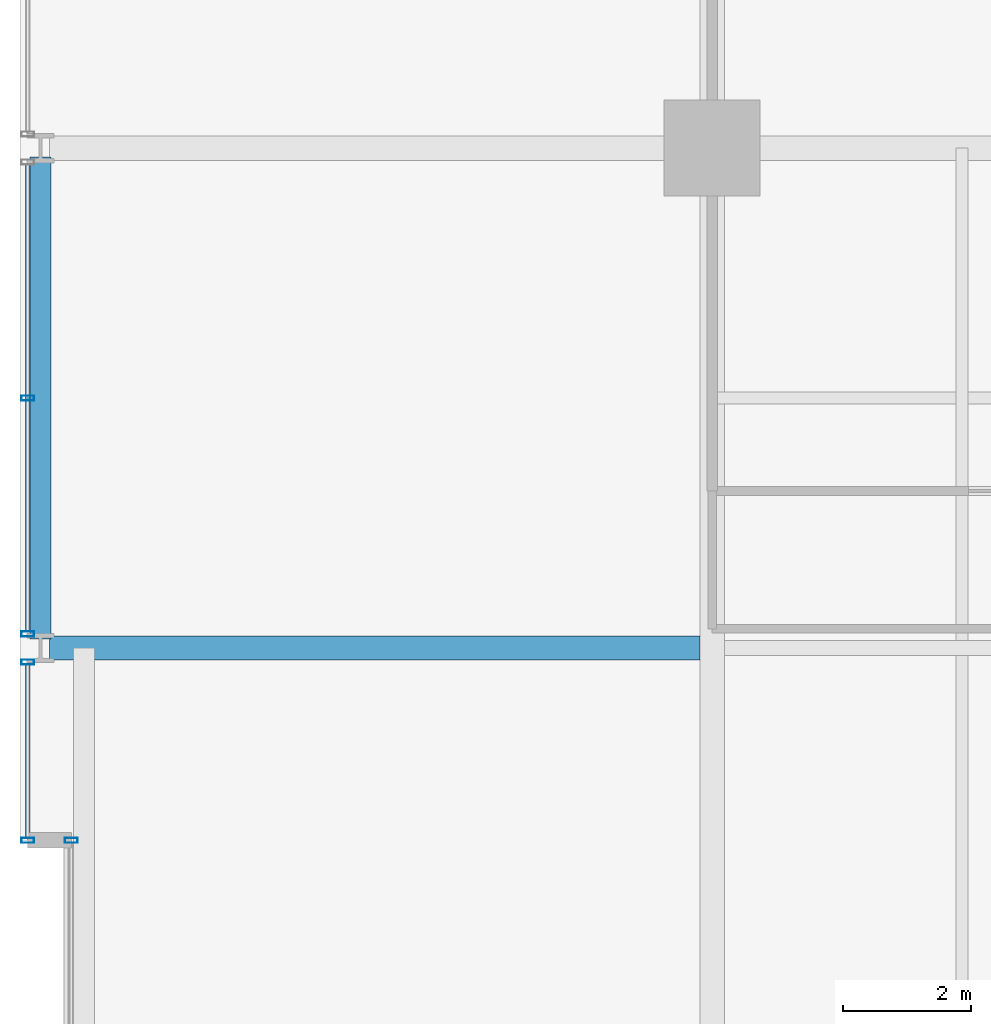
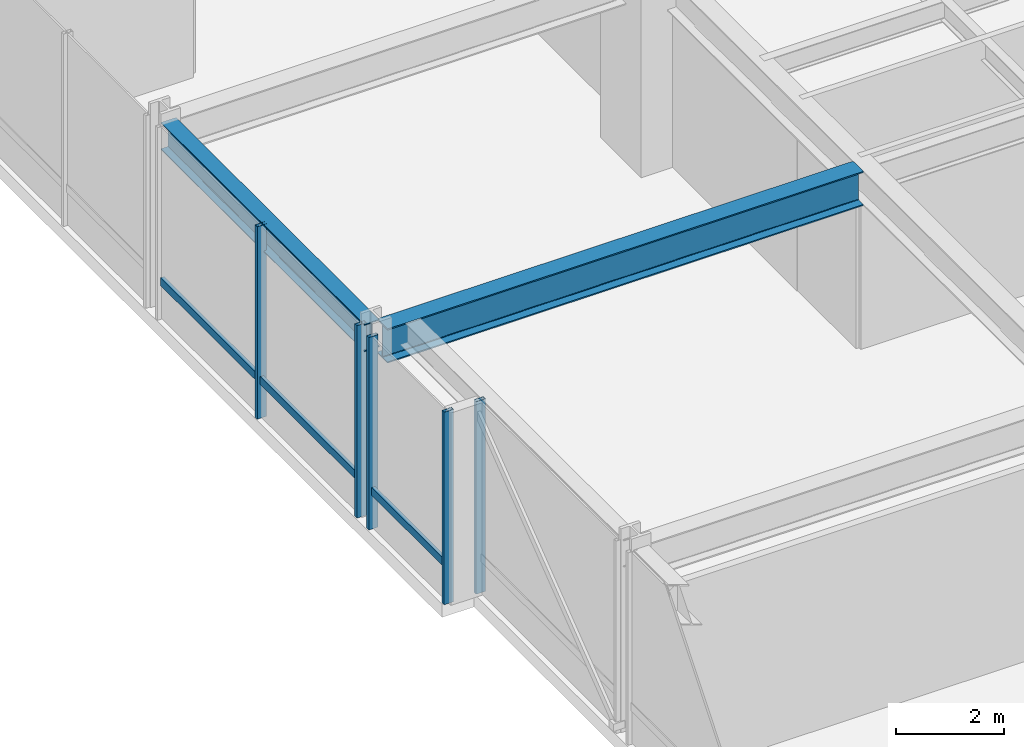
# One storey, part 16 of 33: 7 members, 2 beams, 3 elements without a shape of their own.
"""IFC4 building model written with IfcOpenShell, lengths in metres."""

import ifcopenshell
import ifcopenshell.guid

model = None  # the IFC model being written
_history = None  # IfcOwnerHistory: only IFC2X3 demands one
_inside = {}  # id of a spatial element -> (the spatial element, [elements in it])
_under = {}  # id of a project, library or spatial element -> (it, [spatial elements below it])
_declared = {}  # id of a project -> (the project, [libraries it declares])
_typed = {}  # id of a type object -> (the type object, [elements of that type])
_made_of = {}  # id of a material, layer set ... -> (it, [elements and type objects made of it])


def new_model(schema):
    """Start an empty IFC model of exactly this schema.

    Asked for "IFC4X3", IfcOpenShell would pick the latest addendum, in which some entities
    have other attributes; the version numbers below select the first issue.
    IFC2X3 requires an IfcOwnerHistory on every rooted entity: one is made here for all.
    """
    global model, _history
    if schema == "IFC4X3":
        model = ifcopenshell.file(schema_version=(4, 3, 0, 0))
    else:
        model = ifcopenshell.file(schema=schema)
    _inside.clear()
    _under.clear()
    _declared.clear()
    _typed.clear()
    _made_of.clear()
    _history = None
    if model.schema == "IFC2X3":
        org = make("IfcOrganization", Name="unknown")
        user = make(
            "IfcPersonAndOrganization",
            ThePerson=make("IfcPerson", FamilyName="unknown"),
            TheOrganization=org,
        )
        app = make(
            "IfcApplication",
            ApplicationDeveloper=org,
            Version="unknown",
            ApplicationFullName="unknown",
            ApplicationIdentifier="unknown",
        )
        _history = make(
            "IfcOwnerHistory",
            OwningUser=user,
            OwningApplication=app,
            ChangeAction="ADDED",
            CreationDate=0,
        )
    return model


def make(cls, **values):
    """One entity of the class cls with the attributes given. An attribute that is None is left unset."""
    return model.create_entity(
        cls, **{name: value for name, value in values.items() if value is not None}
    )


def rooted(cls, **values):
    """An entity with a GlobalId (a new one), such as an element, a storey or a relation."""
    return make(cls, GlobalId=ifcopenshell.guid.new(), OwnerHistory=_history, **values)


def si_unit(unit_type, name, prefix=None):
    """IfcSIUnit, for example si_unit("LENGTHUNIT", "METRE", prefix="MILLI")."""
    return make("IfcSIUnit", UnitType=unit_type, Prefix=prefix, Name=name)


def assignment(units):
    """IfcUnitAssignment: the units of a project."""
    return None if units is None else make("IfcUnitAssignment", Units=units)


def point(xyz):
    """IfcCartesianPoint."""
    return None if xyz is None else make("IfcCartesianPoint", Coordinates=xyz)


def direction(xyz):
    """IfcDirection."""
    return None if xyz is None else make("IfcDirection", DirectionRatios=xyz)


def frame(location, z_axis=None, x_axis=None):
    """IfcAxis2Placement3D, a coordinate frame: its origin and axes. An axis left out is left unset."""
    return make(
        "IfcAxis2Placement3D",
        Location=point(location),
        Axis=direction(z_axis),
        RefDirection=direction(x_axis),
    )


def frame_2d(location, x_axis=None):
    """IfcAxis2Placement2D, a coordinate frame in the plane: its origin and x axis."""
    return make(
        "IfcAxis2Placement2D", Location=point(location), RefDirection=direction(x_axis)
    )


def origin():
    """The frame at (0, 0, 0) with its axes left unset."""
    return frame((0.0, 0.0, 0.0))


def origin_2d():
    """The frame at (0, 0) in the plane with its x axis left unset."""
    return frame_2d((0.0, 0.0))


def place(relative_to, where):
    """IfcLocalPlacement: puts the frame where relative to a parent placement (None: the world)."""
    return make(
        "IfcLocalPlacement", PlacementRelTo=relative_to, RelativePlacement=where
    )


def context(
    kind, dimensions, precision=None, world=None, true_north=None, identifier=None
):
    """IfcGeometricRepresentationContext, for example the 3D "Model" context."""
    return make(
        "IfcGeometricRepresentationContext",
        ContextIdentifier=identifier,
        ContextType=kind,
        CoordinateSpaceDimension=dimensions,
        Precision=precision,
        WorldCoordinateSystem=world,
        TrueNorth=true_north,
    )


def subcontext(parent, identifier, kind, view, scale=None):
    """IfcGeometricRepresentationSubContext, for example "Body" below "Model"."""
    return make(
        "IfcGeometricRepresentationSubContext",
        ContextIdentifier=identifier,
        ContextType=kind,
        ParentContext=parent,
        TargetScale=scale,
        TargetView=view,
    )


def project(units=None, contexts=None):
    """IfcProject with its units and contexts."""
    return rooted(
        "IfcProject",
        Name="project",
        RepresentationContexts=contexts,
        UnitsInContext=assignment(units),
    )


def spatial(cls, under=None, at=None, **own):
    """A site, building, storey or space (cls), placed at a placement, below another one or the project."""
    s = rooted(cls, ObjectPlacement=at, **own)
    if under is not None:
        _under.setdefault(under.id(), (under, []))[1].append(s)
    return s


def profile(cls, at=None, kind="AREA", **sizes):
    """A parametric profile (cls). Its sizes go by their IFC names, for example OverallWidth=200.0."""
    return make(cls, ProfileType=kind, Position=at, **sizes)


def hollow_rectangle(**sizes):
    """IfcRectangleHollowProfileDef."""
    return profile("IfcRectangleHollowProfileDef", **sizes)


def i_section(**sizes):
    """IfcIShapeProfileDef."""
    return profile("IfcIShapeProfileDef", **sizes)


def extrude(swept, where, along, depth):
    """IfcExtrudedAreaSolid: the profile swept, set in the frame where, extruded along a direction by depth."""
    return make(
        "IfcExtrudedAreaSolid",
        SweptArea=swept,
        Position=where,
        ExtrudedDirection=direction(along),
        Depth=depth,
    )


def shape(context_of_items, identifier, shape_type, items):
    """IfcShapeRepresentation: the items that make up one representation, for example the "Body"."""
    return make(
        "IfcShapeRepresentation",
        ContextOfItems=context_of_items,
        RepresentationIdentifier=identifier,
        RepresentationType=shape_type,
        Items=items,
    )


def material(Name=None, Category=None):
    """IfcMaterial."""
    return make("IfcMaterial", Name=Name, Category=Category)


def layer(
    of_material, thickness, ventilated=None, Name=None, Category=None, Priority=None
):
    """IfcMaterialLayer: one layer of a wall or slab, of a material (None: an air gap)."""
    return make(
        "IfcMaterialLayer",
        Material=of_material,
        LayerThickness=thickness,
        IsVentilated=ventilated,
        Name=Name,
        Category=Category,
        Priority=Priority,
    )


def layer_set(layers, Name=None):
    """IfcMaterialLayerSet."""
    return make("IfcMaterialLayerSet", MaterialLayers=layers, LayerSetName=Name)


def material_profile(
    of_material, cross_section, Name=None, Category=None, Priority=None
):
    """IfcMaterialProfile: a cross section and its material."""
    return make(
        "IfcMaterialProfile",
        Name=Name,
        Material=of_material,
        Profile=cross_section,
        Priority=Priority,
        Category=Category,
    )


def profile_set(profiles, Name=None, composite=None):
    """IfcMaterialProfileSet."""
    return make(
        "IfcMaterialProfileSet",
        Name=Name,
        MaterialProfiles=profiles,
        CompositeProfile=composite,
    )


def made_of(thing, what):
    """Note that an element or type object is made of a material, layer set ...; save() writes the relation."""
    if what is not None:
        _made_of.setdefault(what.id(), (what, []))[1].append(thing)
    return thing


def type_object(cls, material=None, **own):
    """A type object (cls), such as IfcWallType, which elements share."""
    return made_of(rooted(cls, **own), material)


def element(
    cls,
    number,
    at=None,
    inside=None,
    cuts=None,
    type_object=None,
    material=None,
    context=None,
    identifier="Body",
    shape_type=None,
    held_by="IfcProductDefinitionShape",
    body=None,
    shapes=None,
    **own,
):
    """One element of the class cls, such as IfcWall. Its Tag is "e" and its number.

    at: its placement. inside: the storey or other place that contains it. cuts: it is an
    opening in that element (IfcRelVoidsElement). A single representation is given by context,
    identifier, shape_type and body (its items); several are given by shapes. held_by: the class
    of the entity that holds the representations. save() writes the other relations.
    """
    e = rooted(cls, Tag="e%d" % number, ObjectPlacement=at, **own)
    if body is not None:
        shapes = [shape(context, identifier, shape_type, body)]
    if shapes is not None:
        e.Representation = make(held_by, Representations=shapes)
    if inside is not None:
        _inside.setdefault(inside.id(), (inside, []))[1].append(e)
    if cuts is not None:
        rooted(
            "IfcRelVoidsElement", RelatingBuildingElement=cuts, RelatedOpeningElement=e
        )
    if type_object is not None:
        _typed.setdefault(type_object.id(), (type_object, []))[1].append(e)
    return made_of(e, material)


def aggregate(whole, parts):
    """IfcRelAggregates: a whole, such as a stair, and the parts it consists of."""
    return rooted("IfcRelAggregates", RelatingObject=whole, RelatedObjects=parts)


def save(model, path):
    """Write the relations noted so far, then the file.

    IfcRelAggregates (storeys below a building ...), IfcRelContainedInSpatialStructure (elements
    in a storey), IfcRelDefinesByType, IfcRelAssociatesMaterial and IfcRelDeclares: one each for
    every whole, place, type object, material and project.
    """
    for whole, parts in _under.values():
        aggregate(whole, parts)
    for where, things in _inside.values():
        rooted(
            "IfcRelContainedInSpatialStructure",
            RelatedElements=things,
            RelatingStructure=where,
        )
    for kind, things in _typed.values():
        rooted("IfcRelDefinesByType", RelatedObjects=things, RelatingType=kind)
    for what, things in _made_of.values():
        rooted("IfcRelAssociatesMaterial", RelatedObjects=things, RelatingMaterial=what)
    for by, libraries in _declared.values():
        rooted("IfcRelDeclares", RelatingContext=by, RelatedDefinitions=libraries)
    model.write(path)


model = new_model("IFC4")

# Units and contexts
model_context = context("Model", 3, precision=1e-05, world=origin(), true_north=direction((0.0, 1.0)))
body_context = subcontext(model_context, "Body", "Model", "MODEL_VIEW")
ifc_project = project(units=[si_unit("LENGTHUNIT", "METRE"), si_unit("AREAUNIT", "SQUARE_METRE"), si_unit("VOLUMEUNIT", "CUBIC_METRE"), si_unit("PLANEANGLEUNIT", "RADIAN"), si_unit("MASSUNIT", "GRAM", prefix="KILO")], contexts=[model_context])

# Site, building, storey
site_placement = place(None, origin())
site = spatial("IfcSite", under=ifc_project, at=site_placement, CompositionType="ELEMENT")
building_placement = place(site_placement, origin())
building = spatial("IfcBuilding", under=site, at=building_placement, Name="Drelvath Grand Hotel", CompositionType="ELEMENT")
storey_placement = place(building_placement, frame((0.0, 0.0, 87.199951171875)))
storey = spatial("IfcBuildingStorey", under=building, at=storey_placement, Name="L21", CompositionType="ELEMENT", Elevation=87.199951171875)

# Curtain wall, member
ifc_material_1 = material(Name="Champagne Bronze Anodised Aluminium Frame", Category="aluminium")
ifc_layer = layer(ifc_material_1, 0.199951171875)
ifc_layer_set = layer_set([ifc_layer], Name="Champagne Bronze Anodised Aluminium Frame")
curtain_wall_type = type_object("IfcCurtainWallType", Name="Stick Curtain Wall CW-03 Champagne Bronze Mid-Rise", PredefinedType="NOTDEFINED", material=ifc_layer_set)
curtain_wall_1_placement = place(storey_placement, origin())
curtain_wall_1 = element("IfcCurtainWall", 1, at=curtain_wall_1_placement, inside=storey, type_object=curtain_wall_type, Name="L21 CW-03 Curtain Wall CW03-L21-WN1", PredefinedType="NOTDEFINED")
ifc_material_profile_1 = material_profile(ifc_material_1, hollow_rectangle(XDim=0.074951171875, YDim=0.179931640625, WallThickness=0.0048828125, at=origin_2d()), Name="HSS180X75X5")
ifc_profile_set_1 = profile_set([ifc_material_profile_1], Name="Champagne Bronze Anodised Aluminium Frame")
member_type_1 = type_object("IfcMemberType", Name="Curtain Wall Horizontal Transom CW-03 HSS180X75X5", PredefinedType="USERDEFINED", material=ifc_profile_set_1)
member_1_placement = place(storey_placement, frame((-26.8798828125, 32.43994140625, 0.85009765625), z_axis=(0.0, 1.0, 0.0), x_axis=(-1.0, 0.0, 0.0)))
member_1 = element("IfcMember", 2, at=member_1_placement, type_object=member_type_1, Name="CW03-L21-WN1 Sill Transom", ObjectType="TRANSOM", PredefinedType="USERDEFINED", context=body_context, shape_type="SweptSolid", body=[
    extrude(hollow_rectangle(XDim=0.074951171875, YDim=0.179931640625, WallThickness=0.0048828125, at=origin_2d()), origin(), (0.0, 0.0, 1.0), 2.700439453125),
])

curtain_wall_2_placement = place(storey_placement, origin())
curtain_wall_2 = element("IfcCurtainWall", 3, at=curtain_wall_2_placement, inside=storey, type_object=curtain_wall_type, Name="L21 CW-03 Curtain Wall CW03-L21-WN2", PredefinedType="NOTDEFINED")
member_2_placement = place(storey_placement, frame((-26.8798828125, 35.65966796875, 0.85009765625), z_axis=(0.0, 1.0, 0.0), x_axis=(-1.0, 0.0, 0.0)))
member_2 = element("IfcMember", 4, at=member_2_placement, type_object=member_type_1, Name="CW03-L21-WN2 Sill Transom", ObjectType="TRANSOM", PredefinedType="USERDEFINED", context=body_context, shape_type="SweptSolid", body=[
    extrude(hollow_rectangle(XDim=0.074951171875, YDim=0.179931640625, WallThickness=0.0048828125, at=origin_2d()), origin(), (0.0, 0.0, 1.0), 7.28076171875),
])

curtain_wall_3_placement = place(storey_placement, origin())
curtain_wall_3 = element("IfcCurtainWall", 5, at=curtain_wall_3_placement, inside=storey, type_object=curtain_wall_type, Name="L21 CW-03 Curtain Wall CW03-L21-WM2", PredefinedType="NOTDEFINED")
ifc_material_profile_2 = material_profile(ifc_material_1, hollow_rectangle(XDim=0.080078125, YDim=0.199951171875, WallThickness=0.0048828125, at=origin_2d()), Name="HSS200X80X5")
ifc_profile_set_2 = profile_set([ifc_material_profile_2], Name="Champagne Bronze Anodised Aluminium Frame")
member_type_2 = type_object("IfcMemberType", Name="Curtain Wall Vertical Mullion CW-03 HSS200X80X5", PredefinedType="MULLION", material=ifc_profile_set_2)
member_3_placement = place(storey_placement, frame((-26.199951171875, 32.39990234375, 0.0), z_axis=(0.0, 0.0, 1.0), x_axis=(0.0, 1.0, 0.0)))
member_3 = element("IfcMember", 6, at=member_3_placement, type_object=member_type_2, Name="CW03-L21-WM2 Mullion 2", PredefinedType="MULLION", context=body_context, shape_type="SweptSolid", body=[
    extrude(hollow_rectangle(XDim=0.080078125, YDim=0.199951171875, WallThickness=0.0048828125, at=origin_2d()), origin(), (0.0, 0.0, 1.0), 4.340087890625),
])
aggregate(curtain_wall_3, [member_3])

# Member
member_4_placement = place(storey_placement, frame((-26.8798828125, 32.39990234375, 0.0), z_axis=(0.0, 0.0, 1.0), x_axis=(0.0, 1.0, 0.0)))
member_4 = element("IfcMember", 7, at=member_4_placement, type_object=member_type_2, Name="CW03-L21-WN1 Mullion 1", PredefinedType="MULLION", context=body_context, shape_type="SweptSolid", body=[
    extrude(hollow_rectangle(XDim=0.080078125, YDim=0.199951171875, WallThickness=0.0048828125, at=origin_2d()), origin(), (0.0, 0.0, 1.0), 4.340087890625),
])

member_5_placement = place(storey_placement, frame((-26.8798828125, 35.180419921875, 0.0), z_axis=(0.0, 0.0, 1.0), x_axis=(0.0, 1.0, 0.0)))
member_5 = element("IfcMember", 8, at=member_5_placement, type_object=member_type_2, Name="CW03-L21-WN1 Mullion 2", PredefinedType="MULLION", context=body_context, shape_type="SweptSolid", body=[
    extrude(hollow_rectangle(XDim=0.080078125, YDim=0.199951171875, WallThickness=0.0048828125, at=origin_2d()), origin(), (0.0, 0.0, 1.0), 4.340087890625),
])

aggregate(curtain_wall_1, [member_4, member_5, member_1])

member_6_placement = place(storey_placement, frame((-26.8798828125, 35.61962890625, 0.0), z_axis=(0.0, 0.0, 1.0), x_axis=(0.0, 1.0, 0.0)))
member_6 = element("IfcMember", 9, at=member_6_placement, type_object=member_type_2, Name="CW03-L21-WN2 Mullion 1", PredefinedType="MULLION", context=body_context, shape_type="SweptSolid", body=[
    extrude(hollow_rectangle(XDim=0.080078125, YDim=0.199951171875, WallThickness=0.0048828125, at=origin_2d()), origin(), (0.0, 0.0, 1.0), 4.340087890625),
])

member_7_placement = place(storey_placement, frame((-26.8798828125, 39.300048828125, 0.0), z_axis=(0.0, 0.0, 1.0), x_axis=(0.0, 1.0, 0.0)))
member_7 = element("IfcMember", 10, at=member_7_placement, type_object=member_type_2, Name="CW03-L21-WN2 Mullion 2", PredefinedType="MULLION", context=body_context, shape_type="SweptSolid", body=[
    extrude(hollow_rectangle(XDim=0.080078125, YDim=0.199951171875, WallThickness=0.0048828125, at=origin_2d()), origin(), (0.0, 0.0, 1.0), 4.340087890625),
])

aggregate(curtain_wall_2, [member_6, member_7, member_2])

# Beams
ifc_material_2 = material(Name="Steel ASTM A992 Gr 50", Category="steel")
ifc_material_profile_3 = material_profile(ifc_material_2, i_section(OverallWidth=0.323974609375, OverallDepth=0.611083984375, WebThickness=0.0126953125, FlangeThickness=0.01904296875, FilletRadius=0.02197265625, at=origin_2d()), Name="W24X104")
ifc_profile_set_3 = profile_set([ifc_material_profile_3], Name="Steel ASTM A992 Gr 50")
beam_type_1 = type_object("IfcBeamType", Name="Perimeter Spandrel Beam W24X104", PredefinedType="SPANDREL", material=ifc_profile_set_3)
beam_1_placement = place(storey_placement, frame((-26.679931640625, 35.5400390625, 4.03466796875), z_axis=(0.0, 1.0, 0.0), x_axis=(-1.0, 0.0, 0.0)))
element("IfcBeam", 11, at=beam_1_placement, inside=storey, type_object=beam_type_1, Name="L21 Spandrel West N", PredefinedType="SPANDREL", context=body_context, shape_type="SweptSolid", body=[
    extrude(i_section(OverallWidth=0.323974609375, OverallDepth=0.611083984375, WebThickness=0.0126953125, FlangeThickness=0.01904296875, FilletRadius=0.02197265625, at=origin_2d()), origin(), (0.0, 0.0, 1.0), 7.52001953125),
])
ifc_material_profile_4 = material_profile(ifc_material_2, i_section(OverallWidth=0.380615234375, OverallDepth=0.773193359375, WebThickness=0.0166015625, FlangeThickness=0.027099609375, FilletRadius=0.02490234375, at=origin_2d()), Name="W30X173")
ifc_profile_set_4 = profile_set([ifc_material_profile_4], Name="Steel ASTM A992 Gr 50")
beam_type_2 = type_object("IfcBeamType", Name="Primary Floor Girder W30X173", PredefinedType="BEAM", material=ifc_profile_set_4)
beam_2_placement = place(storey_placement, frame((-26.5400390625, 35.39990234375, 3.953369140625), z_axis=(1.0, 0.0, 0.0), x_axis=(0.0, 1.0, 0.0)))
element("IfcBeam", 12, at=beam_2_placement, inside=storey, type_object=beam_type_2, Name="L21 West Wing Girder F", PredefinedType="BEAM", context=body_context, shape_type="SweptSolid", body=[
    extrude(i_section(OverallWidth=0.380615234375, OverallDepth=0.773193359375, WebThickness=0.0166015625, FlangeThickness=0.027099609375, FilletRadius=0.02490234375, at=origin_2d()), origin(), (0.0, 0.0, 1.0), 10.149658203125),
])

save(model, "model.ifc")
